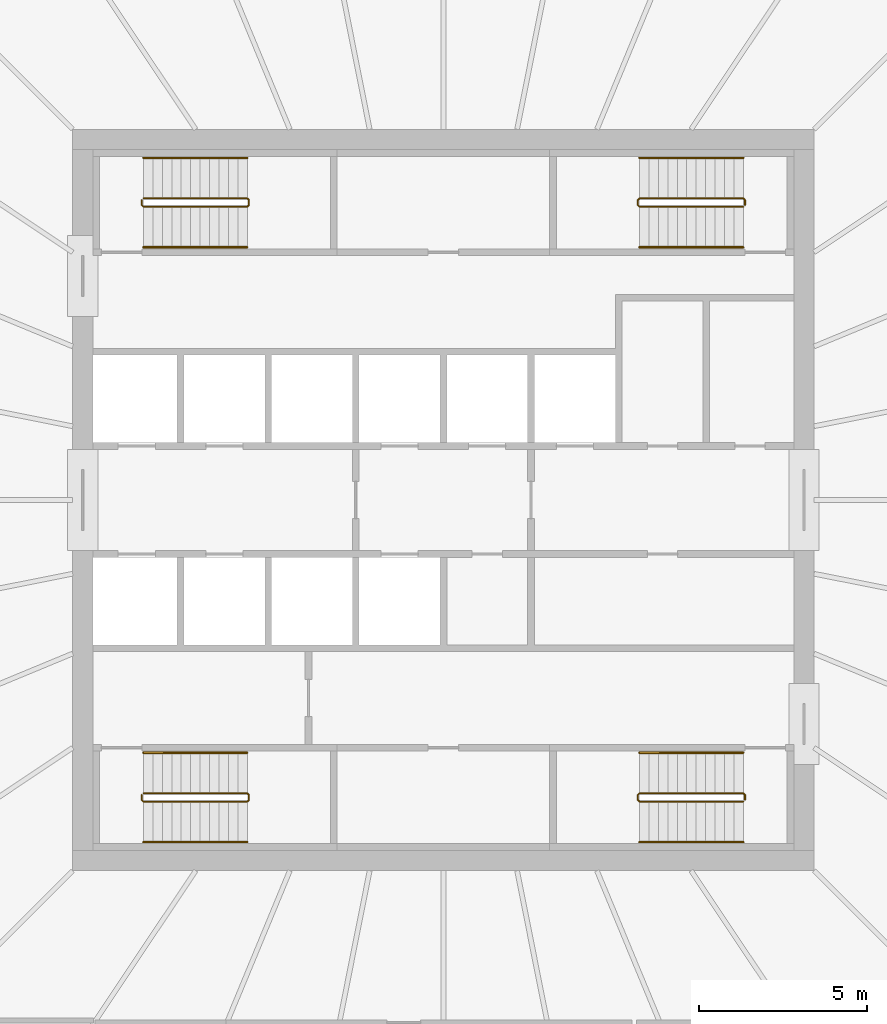
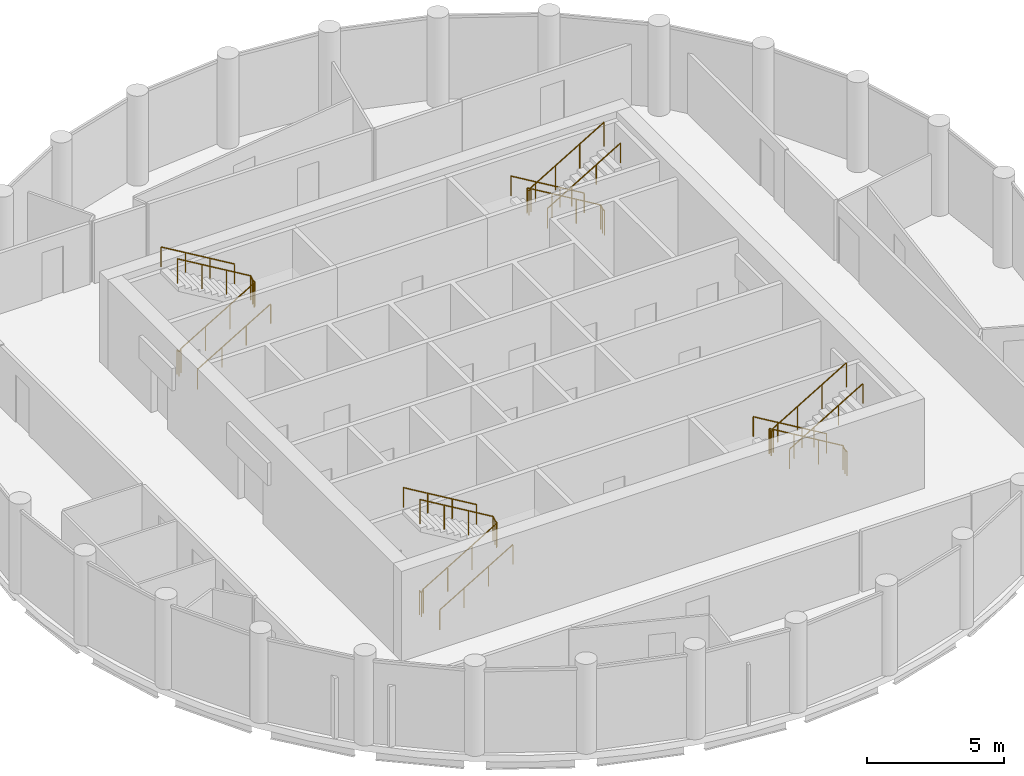
# One storey, part 7 of 7: 12 railings.
"""IFC4 building model written with IfcOpenShell, lengths in metres."""

from ifc_helpers import new_model, si_unit, direction, frame, origin, origin_2d, place, context, subcontext, project, spatial, circle, extrude, material, type_object, element, save


model = new_model("IFC4")

# Units and contexts
model_context = context("Model", 3, precision=1e-05, world=origin(), true_north=direction((0.0, 1.0)))
body_context = subcontext(model_context, "Body", "Model", "MODEL_VIEW")
ifc_project = project(units=[si_unit("LENGTHUNIT", "METRE"), si_unit("AREAUNIT", "SQUARE_METRE"), si_unit("VOLUMEUNIT", "CUBIC_METRE"), si_unit("PLANEANGLEUNIT", "RADIAN"), si_unit("MASSUNIT", "GRAM", prefix="KILO")], contexts=[model_context])

# Site, building, storey
site_placement = place(None, origin())
site = spatial("IfcSite", under=ifc_project, at=site_placement, CompositionType="ELEMENT")
building_placement = place(site_placement, origin())
building = spatial("IfcBuilding", under=site, at=building_placement, Name="Corvane Civic Tower", CompositionType="ELEMENT")
storey_placement = place(building_placement, frame((0.0, 0.0, 344.5)))
storey = spatial("IfcBuildingStorey", under=building, at=storey_placement, Name="L82", CompositionType="ELEMENT", Elevation=344.5)

# Railings
ifc_material_1 = material(Name="Steel ASTM A572 Gr 50", Category="steel")
railing_type_1 = type_object("IfcRailingType", Name="ST-GUARD-1100", PredefinedType="GUARDRAIL", material=ifc_material_1)
railing_1_placement = place(storey_placement, frame((8.949951171875, 8.75, 0.0)))
element("IfcRailing", 1, at=railing_1_placement, inside=storey, type_object=railing_type_1, Name="L82 ST1 stair guard 1", PredefinedType="GUARDRAIL", context=body_context, shape_type="SweptSolid", body=[
    extrude(circle(Radius=0.02392578125, at=origin_2d()), frame((0.0, 0.0, 1.076171875), z_axis=(0.0, 1.0, 0.0), x_axis=(-1.0, 0.0, 0.0)), (0.0, 0.0, 1.0), 0.14990234375),
    extrude(circle(Radius=0.02392578125, at=origin_2d()), frame((0.0, 0.14990234375, 1.076171875), z_axis=(-0.27628659633, 0.27628659633, 0.920506074601), x_axis=(-0.707106781187, -0.707106781187, 0.0)), (0.0, 0.0, 1.0), 0.18115234375),
    extrude(circle(Radius=0.02392578125, at=origin_2d()), frame((-0.050048828125, 0.199951171875, 1.24267578125), z_axis=(-0.859290745958, 0.0, 0.51148745235), x_axis=(0.0, -1.0, 0.0)), (0.0, 0.0, 1.0), 3.584228515625),
    extrude(circle(Radius=0.02392578125, at=origin_2d()), frame((-3.1298828125, 0.199951171875, 3.076171875), z_axis=(-0.707106781187, -0.707106781187, 0.0), x_axis=(0.707106781187, -0.707106781187, 0.0)), (0.0, 0.0, 1.0), 0.07080078125),
    extrude(circle(Radius=0.02392578125, at=origin_2d()), frame((-3.179931640625, 0.14990234375, 3.076171875), z_axis=(0.0, -1.0, 0.0), x_axis=(1.0, 0.0, 0.0)), (0.0, 0.0, 1.0), 0.14990234375),
    extrude(circle(Radius=0.02392578125, at=origin_2d()), frame((-3.179931640625, 0.0, 3.076171875), z_axis=(0.27628659633, -0.27628659633, 0.920506074601), x_axis=(0.707106781187, 0.707106781187, 0.0)), (0.0, 0.0, 1.0), 0.18115234375),
    extrude(circle(Radius=0.02392578125, at=origin_2d()), frame((-3.1298828125, -0.050048828125, 3.24267578125), z_axis=(0.859290745958, 0.0, 0.51148745235), x_axis=(0.0, 1.0, 0.0)), (0.0, 0.0, 1.0), 3.584228515625),
    extrude(circle(Radius=0.02099609375, at=origin_2d()), origin(), (0.0, 0.0, 1.0), 1.052001953125),
    extrude(circle(Radius=0.02099609375, at=origin_2d()), frame((0.0, 0.14990234375, 0.0)), (0.0, 0.0, 1.0), 1.052001953125),
    extrude(circle(Radius=0.02099609375, at=origin_2d()), frame((-0.050048828125, 0.199951171875, 0.166748046875)), (0.0, 0.0, 1.0), 1.052001953125),
    extrude(circle(Radius=0.02099609375, at=origin_2d()), frame((-1.07666015625, 0.199951171875, 0.77783203125)), (0.0, 0.0, 1.0), 1.052001953125),
    extrude(circle(Radius=0.02099609375, at=origin_2d()), frame((-2.103271484375, 0.199951171875, 1.388916015625)), (0.0, 0.0, 1.0), 1.052001953125),
    extrude(circle(Radius=0.02099609375, at=origin_2d()), frame((-3.1298828125, 0.199951171875, 2.0)), (0.0, 0.0, 1.0), 1.052001953125),
    extrude(circle(Radius=0.02099609375, at=origin_2d()), frame((-3.179931640625, 0.14990234375, 2.0)), (0.0, 0.0, 1.0), 1.052001953125),
    extrude(circle(Radius=0.02099609375, at=origin_2d()), frame((-3.179931640625, 0.0, 2.0)), (0.0, 0.0, 1.0), 1.052001953125),
    extrude(circle(Radius=0.02099609375, at=origin_2d()), frame((-3.1298828125, -0.050048828125, 2.166748046875)), (0.0, 0.0, 1.0), 1.052001953125),
    extrude(circle(Radius=0.02099609375, at=origin_2d()), frame((-2.103271484375, -0.050048828125, 2.77783203125)), (0.0, 0.0, 1.0), 1.052001953125),
    extrude(circle(Radius=0.02099609375, at=origin_2d()), frame((-1.07666015625, -0.050048828125, 3.388916015625)), (0.0, 0.0, 1.0), 1.052001953125),
    extrude(circle(Radius=0.02099609375, at=origin_2d()), frame((-0.050048828125, -0.050048828125, 4.0)), (0.0, 0.0, 1.0), 1.052001953125),
])
railing_2_placement = place(storey_placement, frame((8.949951171875, -8.89990234375, 0.0)))
element("IfcRailing", 2, at=railing_2_placement, inside=storey, type_object=railing_type_1, Name="L82 ST2 stair guard 1", PredefinedType="GUARDRAIL", context=body_context, shape_type="SweptSolid", body=[
    extrude(circle(Radius=0.02392578125, at=origin_2d()), frame((0.0, 0.0, 1.076171875), z_axis=(0.0, 1.0, 0.0), x_axis=(-1.0, 0.0, 0.0)), (0.0, 0.0, 1.0), 0.14990234375),
    extrude(circle(Radius=0.02392578125, at=origin_2d()), frame((0.0, 0.14990234375, 1.076171875), z_axis=(-0.27628659633, 0.27628659633, 0.920506074601), x_axis=(-0.707106781187, -0.707106781187, 0.0)), (0.0, 0.0, 1.0), 0.18115234375),
    extrude(circle(Radius=0.02392578125, at=origin_2d()), frame((-0.050048828125, 0.199951171875, 1.24267578125), z_axis=(-0.859290745958, 0.0, 0.51148745235), x_axis=(0.0, -1.0, 0.0)), (0.0, 0.0, 1.0), 3.584228515625),
    extrude(circle(Radius=0.02392578125, at=origin_2d()), frame((-3.1298828125, 0.199951171875, 3.076171875), z_axis=(-0.707106781187, -0.707106781187, 0.0), x_axis=(0.707106781187, -0.707106781187, 0.0)), (0.0, 0.0, 1.0), 0.07080078125),
    extrude(circle(Radius=0.02392578125, at=origin_2d()), frame((-3.179931640625, 0.14990234375, 3.076171875), z_axis=(0.0, -1.0, 0.0), x_axis=(1.0, 0.0, 0.0)), (0.0, 0.0, 1.0), 0.14990234375),
    extrude(circle(Radius=0.02392578125, at=origin_2d()), frame((-3.179931640625, 0.0, 3.076171875), z_axis=(0.27628659633, -0.27628659633, 0.920506074601), x_axis=(0.707106781187, 0.707106781187, 0.0)), (0.0, 0.0, 1.0), 0.18115234375),
    extrude(circle(Radius=0.02392578125, at=origin_2d()), frame((-3.1298828125, -0.050048828125, 3.24267578125), z_axis=(0.859290745958, 0.0, 0.51148745235), x_axis=(0.0, 1.0, 0.0)), (0.0, 0.0, 1.0), 3.584228515625),
    extrude(circle(Radius=0.02099609375, at=origin_2d()), origin(), (0.0, 0.0, 1.0), 1.052001953125),
    extrude(circle(Radius=0.02099609375, at=origin_2d()), frame((0.0, 0.14990234375, 0.0)), (0.0, 0.0, 1.0), 1.052001953125),
    extrude(circle(Radius=0.02099609375, at=origin_2d()), frame((-0.050048828125, 0.199951171875, 0.166748046875)), (0.0, 0.0, 1.0), 1.052001953125),
    extrude(circle(Radius=0.02099609375, at=origin_2d()), frame((-1.07666015625, 0.199951171875, 0.77783203125)), (0.0, 0.0, 1.0), 1.052001953125),
    extrude(circle(Radius=0.02099609375, at=origin_2d()), frame((-2.103271484375, 0.199951171875, 1.388916015625)), (0.0, 0.0, 1.0), 1.052001953125),
    extrude(circle(Radius=0.02099609375, at=origin_2d()), frame((-3.1298828125, 0.199951171875, 2.0)), (0.0, 0.0, 1.0), 1.052001953125),
    extrude(circle(Radius=0.02099609375, at=origin_2d()), frame((-3.179931640625, 0.14990234375, 2.0)), (0.0, 0.0, 1.0), 1.052001953125),
    extrude(circle(Radius=0.02099609375, at=origin_2d()), frame((-3.179931640625, 0.0, 2.0)), (0.0, 0.0, 1.0), 1.052001953125),
    extrude(circle(Radius=0.02099609375, at=origin_2d()), frame((-3.1298828125, -0.050048828125, 2.166748046875)), (0.0, 0.0, 1.0), 1.052001953125),
    extrude(circle(Radius=0.02099609375, at=origin_2d()), frame((-2.103271484375, -0.050048828125, 2.77783203125)), (0.0, 0.0, 1.0), 1.052001953125),
    extrude(circle(Radius=0.02099609375, at=origin_2d()), frame((-1.07666015625, -0.050048828125, 3.388916015625)), (0.0, 0.0, 1.0), 1.052001953125),
    extrude(circle(Radius=0.02099609375, at=origin_2d()), frame((-0.050048828125, -0.050048828125, 4.0)), (0.0, 0.0, 1.0), 1.052001953125),
])
railing_3_placement = place(storey_placement, frame((-8.949951171875, -8.75, 0.0)))
element("IfcRailing", 3, at=railing_3_placement, inside=storey, type_object=railing_type_1, Name="L82 ST3 stair guard 1", PredefinedType="GUARDRAIL", context=body_context, shape_type="SweptSolid", body=[
    extrude(circle(Radius=0.02392578125, at=origin_2d()), frame((0.0, 0.0, 1.076171875), z_axis=(0.0, -1.0, 0.0), x_axis=(1.0, 0.0, 0.0)), (0.0, 0.0, 1.0), 0.14990234375),
    extrude(circle(Radius=0.02392578125, at=origin_2d()), frame((0.0, -0.14990234375, 1.076171875), z_axis=(0.27628659633, -0.27628659633, 0.920506074601), x_axis=(0.707106781187, 0.707106781187, 0.0)), (0.0, 0.0, 1.0), 0.18115234375),
    extrude(circle(Radius=0.02392578125, at=origin_2d()), frame((0.050048828125, -0.199951171875, 1.24267578125), z_axis=(0.859290745958, 0.0, 0.51148745235), x_axis=(0.0, 1.0, 0.0)), (0.0, 0.0, 1.0), 3.584228515625),
    extrude(circle(Radius=0.02392578125, at=origin_2d()), frame((3.1298828125, -0.199951171875, 3.076171875), z_axis=(0.707106781187, 0.707106781187, 0.0), x_axis=(-0.707106781187, 0.707106781187, 0.0)), (0.0, 0.0, 1.0), 0.07080078125),
    extrude(circle(Radius=0.02392578125, at=origin_2d()), frame((3.179931640625, -0.14990234375, 3.076171875), z_axis=(0.0, 1.0, 0.0), x_axis=(-1.0, 0.0, 0.0)), (0.0, 0.0, 1.0), 0.14990234375),
    extrude(circle(Radius=0.02392578125, at=origin_2d()), frame((3.179931640625, 0.0, 3.076171875), z_axis=(-0.27628659633, 0.27628659633, 0.920506074601), x_axis=(-0.707106781187, -0.707106781187, 0.0)), (0.0, 0.0, 1.0), 0.18115234375),
    extrude(circle(Radius=0.02392578125, at=origin_2d()), frame((3.1298828125, 0.050048828125, 3.24267578125), z_axis=(-0.859290745958, 0.0, 0.51148745235), x_axis=(0.0, -1.0, 0.0)), (0.0, 0.0, 1.0), 3.584228515625),
    extrude(circle(Radius=0.02099609375, at=origin_2d()), origin(), (0.0, 0.0, 1.0), 1.052001953125),
    extrude(circle(Radius=0.02099609375, at=origin_2d()), frame((0.0, -0.14990234375, 0.0)), (0.0, 0.0, 1.0), 1.052001953125),
    extrude(circle(Radius=0.02099609375, at=origin_2d()), frame((0.050048828125, -0.199951171875, 0.166748046875)), (0.0, 0.0, 1.0), 1.052001953125),
    extrude(circle(Radius=0.02099609375, at=origin_2d()), frame((1.07666015625, -0.199951171875, 0.77783203125)), (0.0, 0.0, 1.0), 1.052001953125),
    extrude(circle(Radius=0.02099609375, at=origin_2d()), frame((2.103271484375, -0.199951171875, 1.388916015625)), (0.0, 0.0, 1.0), 1.052001953125),
    extrude(circle(Radius=0.02099609375, at=origin_2d()), frame((3.1298828125, -0.199951171875, 2.0)), (0.0, 0.0, 1.0), 1.052001953125),
    extrude(circle(Radius=0.02099609375, at=origin_2d()), frame((3.179931640625, -0.14990234375, 2.0)), (0.0, 0.0, 1.0), 1.052001953125),
    extrude(circle(Radius=0.02099609375, at=origin_2d()), frame((3.179931640625, 0.0, 2.0)), (0.0, 0.0, 1.0), 1.052001953125),
    extrude(circle(Radius=0.02099609375, at=origin_2d()), frame((3.1298828125, 0.050048828125, 2.166748046875)), (0.0, 0.0, 1.0), 1.052001953125),
    extrude(circle(Radius=0.02099609375, at=origin_2d()), frame((2.103271484375, 0.050048828125, 2.77783203125)), (0.0, 0.0, 1.0), 1.052001953125),
    extrude(circle(Radius=0.02099609375, at=origin_2d()), frame((1.07666015625, 0.050048828125, 3.388916015625)), (0.0, 0.0, 1.0), 1.052001953125),
    extrude(circle(Radius=0.02099609375, at=origin_2d()), frame((0.050048828125, 0.050048828125, 4.0)), (0.0, 0.0, 1.0), 1.052001953125),
])
railing_4_placement = place(storey_placement, frame((-8.949951171875, 8.89990234375, 0.0)))
element("IfcRailing", 4, at=railing_4_placement, inside=storey, type_object=railing_type_1, Name="L82 ST4 stair guard 1", PredefinedType="GUARDRAIL", context=body_context, shape_type="SweptSolid", body=[
    extrude(circle(Radius=0.02392578125, at=origin_2d()), frame((0.0, 0.0, 1.076171875), z_axis=(0.0, -1.0, 0.0), x_axis=(1.0, 0.0, 0.0)), (0.0, 0.0, 1.0), 0.14990234375),
    extrude(circle(Radius=0.02392578125, at=origin_2d()), frame((0.0, -0.14990234375, 1.076171875), z_axis=(0.27628659633, -0.27628659633, 0.920506074601), x_axis=(0.707106781187, 0.707106781187, 0.0)), (0.0, 0.0, 1.0), 0.18115234375),
    extrude(circle(Radius=0.02392578125, at=origin_2d()), frame((0.050048828125, -0.199951171875, 1.24267578125), z_axis=(0.859290745958, 0.0, 0.51148745235), x_axis=(0.0, 1.0, 0.0)), (0.0, 0.0, 1.0), 3.584228515625),
    extrude(circle(Radius=0.02392578125, at=origin_2d()), frame((3.1298828125, -0.199951171875, 3.076171875), z_axis=(0.707106781187, 0.707106781187, 0.0), x_axis=(-0.707106781187, 0.707106781187, 0.0)), (0.0, 0.0, 1.0), 0.07080078125),
    extrude(circle(Radius=0.02392578125, at=origin_2d()), frame((3.179931640625, -0.14990234375, 3.076171875), z_axis=(0.0, 1.0, 0.0), x_axis=(-1.0, 0.0, 0.0)), (0.0, 0.0, 1.0), 0.14990234375),
    extrude(circle(Radius=0.02392578125, at=origin_2d()), frame((3.179931640625, 0.0, 3.076171875), z_axis=(-0.27628659633, 0.27628659633, 0.920506074601), x_axis=(-0.707106781187, -0.707106781187, 0.0)), (0.0, 0.0, 1.0), 0.18115234375),
    extrude(circle(Radius=0.02392578125, at=origin_2d()), frame((3.1298828125, 0.050048828125, 3.24267578125), z_axis=(-0.859290745958, 0.0, 0.51148745235), x_axis=(0.0, -1.0, 0.0)), (0.0, 0.0, 1.0), 3.584228515625),
    extrude(circle(Radius=0.02099609375, at=origin_2d()), origin(), (0.0, 0.0, 1.0), 1.052001953125),
    extrude(circle(Radius=0.02099609375, at=origin_2d()), frame((0.0, -0.14990234375, 0.0)), (0.0, 0.0, 1.0), 1.052001953125),
    extrude(circle(Radius=0.02099609375, at=origin_2d()), frame((0.050048828125, -0.199951171875, 0.166748046875)), (0.0, 0.0, 1.0), 1.052001953125),
    extrude(circle(Radius=0.02099609375, at=origin_2d()), frame((1.07666015625, -0.199951171875, 0.77783203125)), (0.0, 0.0, 1.0), 1.052001953125),
    extrude(circle(Radius=0.02099609375, at=origin_2d()), frame((2.103271484375, -0.199951171875, 1.388916015625)), (0.0, 0.0, 1.0), 1.052001953125),
    extrude(circle(Radius=0.02099609375, at=origin_2d()), frame((3.1298828125, -0.199951171875, 2.0)), (0.0, 0.0, 1.0), 1.052001953125),
    extrude(circle(Radius=0.02099609375, at=origin_2d()), frame((3.179931640625, -0.14990234375, 2.0)), (0.0, 0.0, 1.0), 1.052001953125),
    extrude(circle(Radius=0.02099609375, at=origin_2d()), frame((3.179931640625, 0.0, 2.0)), (0.0, 0.0, 1.0), 1.052001953125),
    extrude(circle(Radius=0.02099609375, at=origin_2d()), frame((3.1298828125, 0.050048828125, 2.166748046875)), (0.0, 0.0, 1.0), 1.052001953125),
    extrude(circle(Radius=0.02099609375, at=origin_2d()), frame((2.103271484375, 0.050048828125, 2.77783203125)), (0.0, 0.0, 1.0), 1.052001953125),
    extrude(circle(Radius=0.02099609375, at=origin_2d()), frame((1.07666015625, 0.050048828125, 3.388916015625)), (0.0, 0.0, 1.0), 1.052001953125),
    extrude(circle(Radius=0.02099609375, at=origin_2d()), frame((0.050048828125, 0.050048828125, 4.0)), (0.0, 0.0, 1.0), 1.052001953125),
])
ifc_material_2 = material(Name="Steel ASTM A572 Gr 50", Category="steel")
railing_type_2 = type_object("IfcRailingType", Name="ST-HANDRAIL-900", PredefinedType="HANDRAIL", material=ifc_material_2)
railing_5_placement = place(storey_placement, frame((8.89990234375, 10.14990234375, 0.166748046875)))
element("IfcRailing", 5, at=railing_5_placement, inside=storey, type_object=railing_type_2, Name="L82 ST1 stair handrail 1", PredefinedType="HANDRAIL", context=body_context, shape_type="SweptSolid", body=[
    extrude(circle(Radius=0.02392578125, at=origin_2d()), frame((0.0, 0.0, 0.8759765625), z_axis=(-0.859290745958, 0.0, 0.51148745235), x_axis=(0.0, -1.0, 0.0)), (0.0, 0.0, 1.0), 3.584228515625),
    extrude(circle(Radius=0.02099609375, at=origin_2d()), origin(), (0.0, 0.0, 1.0), 0.851806640625),
    extrude(circle(Radius=0.02099609375, at=origin_2d()), frame((-1.026611328125, 0.0, 0.611083984375)), (0.0, 0.0, 1.0), 0.851806640625),
    extrude(circle(Radius=0.02099609375, at=origin_2d()), frame((-2.05322265625, 0.0, 1.22216796875)), (0.0, 0.0, 1.0), 0.851806640625),
    extrude(circle(Radius=0.02099609375, at=origin_2d()), frame((-3.079833984375, 0.0, 1.833251953125)), (0.0, 0.0, 1.0), 0.851806640625),
])
railing_6_placement = place(storey_placement, frame((5.820068359375, 7.5, 2.166748046875)))
element("IfcRailing", 6, at=railing_6_placement, inside=storey, type_object=railing_type_2, Name="L82 ST1 stair handrail 2", PredefinedType="HANDRAIL", context=body_context, shape_type="SweptSolid", body=[
    extrude(circle(Radius=0.02392578125, at=origin_2d()), frame((0.0, 0.0, 0.8759765625), z_axis=(0.859290745958, 0.0, 0.51148745235), x_axis=(0.0, 1.0, 0.0)), (0.0, 0.0, 1.0), 3.584228515625),
    extrude(circle(Radius=0.02099609375, at=origin_2d()), origin(), (0.0, 0.0, 1.0), 0.851806640625),
    extrude(circle(Radius=0.02099609375, at=origin_2d()), frame((1.026611328125, 0.0, 0.611083984375)), (0.0, 0.0, 1.0), 0.851806640625),
    extrude(circle(Radius=0.02099609375, at=origin_2d()), frame((2.05322265625, 0.0, 1.22216796875)), (0.0, 0.0, 1.0), 0.851806640625),
    extrude(circle(Radius=0.02099609375, at=origin_2d()), frame((3.079833984375, 0.0, 1.833251953125)), (0.0, 0.0, 1.0), 0.851806640625),
])
railing_7_placement = place(storey_placement, frame((8.89990234375, -7.5, 0.166748046875)))
element("IfcRailing", 7, at=railing_7_placement, inside=storey, type_object=railing_type_2, Name="L82 ST2 stair handrail 1", PredefinedType="HANDRAIL", context=body_context, shape_type="SweptSolid", body=[
    extrude(circle(Radius=0.02392578125, at=origin_2d()), frame((0.0, 0.0, 0.8759765625), z_axis=(-0.859290745958, 0.0, 0.51148745235), x_axis=(0.0, -1.0, 0.0)), (0.0, 0.0, 1.0), 3.584228515625),
    extrude(circle(Radius=0.02099609375, at=origin_2d()), origin(), (0.0, 0.0, 1.0), 0.851806640625),
    extrude(circle(Radius=0.02099609375, at=origin_2d()), frame((-1.026611328125, 0.0, 0.611083984375)), (0.0, 0.0, 1.0), 0.851806640625),
    extrude(circle(Radius=0.02099609375, at=origin_2d()), frame((-2.05322265625, 0.0, 1.22216796875)), (0.0, 0.0, 1.0), 0.851806640625),
    extrude(circle(Radius=0.02099609375, at=origin_2d()), frame((-3.079833984375, 0.0, 1.833251953125)), (0.0, 0.0, 1.0), 0.851806640625),
])
for number, where, name in (
    (8, (5.820068359375, -10.14990234375, 2.166748046875), "L82 ST2 stair handrail 2"),
    (9, (-8.89990234375, -10.14990234375, 0.166748046875), "L82 ST3 stair handrail 1"),
):
    element("IfcRailing", number, at=place(storey_placement, frame(where)), inside=storey, type_object=railing_type_2, Name=name, PredefinedType="HANDRAIL", context=body_context, shape_type="SweptSolid", body=[
        extrude(circle(Radius=0.02392578125, at=origin_2d()), frame((0.0, 0.0, 0.8759765625), z_axis=(0.859290745958, 0.0, 0.51148745235), x_axis=(0.0, 1.0, 0.0)), (0.0, 0.0, 1.0), 3.584228515625),
        extrude(circle(Radius=0.02099609375, at=origin_2d()), origin(), (0.0, 0.0, 1.0), 0.851806640625),
        extrude(circle(Radius=0.02099609375, at=origin_2d()), frame((1.026611328125, 0.0, 0.611083984375)), (0.0, 0.0, 1.0), 0.851806640625),
        extrude(circle(Radius=0.02099609375, at=origin_2d()), frame((2.05322265625, 0.0, 1.22216796875)), (0.0, 0.0, 1.0), 0.851806640625),
        extrude(circle(Radius=0.02099609375, at=origin_2d()), frame((3.079833984375, 0.0, 1.833251953125)), (0.0, 0.0, 1.0), 0.851806640625),
    ])
railing_8_placement = place(storey_placement, frame((-5.820068359375, -7.5, 2.166748046875)))
element("IfcRailing", 10, at=railing_8_placement, inside=storey, type_object=railing_type_2, Name="L82 ST3 stair handrail 2", PredefinedType="HANDRAIL", context=body_context, shape_type="SweptSolid", body=[
    extrude(circle(Radius=0.02392578125, at=origin_2d()), frame((0.0, 0.0, 0.8759765625), z_axis=(-0.859290745958, 0.0, 0.51148745235), x_axis=(0.0, -1.0, 0.0)), (0.0, 0.0, 1.0), 3.584228515625),
    extrude(circle(Radius=0.02099609375, at=origin_2d()), origin(), (0.0, 0.0, 1.0), 0.851806640625),
    extrude(circle(Radius=0.02099609375, at=origin_2d()), frame((-1.026611328125, 0.0, 0.611083984375)), (0.0, 0.0, 1.0), 0.851806640625),
    extrude(circle(Radius=0.02099609375, at=origin_2d()), frame((-2.05322265625, 0.0, 1.22216796875)), (0.0, 0.0, 1.0), 0.851806640625),
    extrude(circle(Radius=0.02099609375, at=origin_2d()), frame((-3.079833984375, 0.0, 1.833251953125)), (0.0, 0.0, 1.0), 0.851806640625),
])
railing_9_placement = place(storey_placement, frame((-8.89990234375, 7.5, 0.166748046875)))
element("IfcRailing", 11, at=railing_9_placement, inside=storey, type_object=railing_type_2, Name="L82 ST4 stair handrail 1", PredefinedType="HANDRAIL", context=body_context, shape_type="SweptSolid", body=[
    extrude(circle(Radius=0.02392578125, at=origin_2d()), frame((0.0, 0.0, 0.8759765625), z_axis=(0.859290745958, 0.0, 0.51148745235), x_axis=(0.0, 1.0, 0.0)), (0.0, 0.0, 1.0), 3.584228515625),
    extrude(circle(Radius=0.02099609375, at=origin_2d()), origin(), (0.0, 0.0, 1.0), 0.851806640625),
    extrude(circle(Radius=0.02099609375, at=origin_2d()), frame((1.026611328125, 0.0, 0.611083984375)), (0.0, 0.0, 1.0), 0.851806640625),
    extrude(circle(Radius=0.02099609375, at=origin_2d()), frame((2.05322265625, 0.0, 1.22216796875)), (0.0, 0.0, 1.0), 0.851806640625),
    extrude(circle(Radius=0.02099609375, at=origin_2d()), frame((3.079833984375, 0.0, 1.833251953125)), (0.0, 0.0, 1.0), 0.851806640625),
])
railing_10_placement = place(storey_placement, frame((-5.820068359375, 10.14990234375, 2.166748046875)))
element("IfcRailing", 12, at=railing_10_placement, inside=storey, type_object=railing_type_2, Name="L82 ST4 stair handrail 2", PredefinedType="HANDRAIL", context=body_context, shape_type="SweptSolid", body=[
    extrude(circle(Radius=0.02392578125, at=origin_2d()), frame((0.0, 0.0, 0.8759765625), z_axis=(-0.859290745958, 0.0, 0.51148745235), x_axis=(0.0, -1.0, 0.0)), (0.0, 0.0, 1.0), 3.584228515625),
    extrude(circle(Radius=0.02099609375, at=origin_2d()), origin(), (0.0, 0.0, 1.0), 0.851806640625),
    extrude(circle(Radius=0.02099609375, at=origin_2d()), frame((-1.026611328125, 0.0, 0.611083984375)), (0.0, 0.0, 1.0), 0.851806640625),
    extrude(circle(Radius=0.02099609375, at=origin_2d()), frame((-2.05322265625, 0.0, 1.22216796875)), (0.0, 0.0, 1.0), 0.851806640625),
    extrude(circle(Radius=0.02099609375, at=origin_2d()), frame((-3.079833984375, 0.0, 1.833251953125)), (0.0, 0.0, 1.0), 0.851806640625),
])

save(model, "model.ifc")
